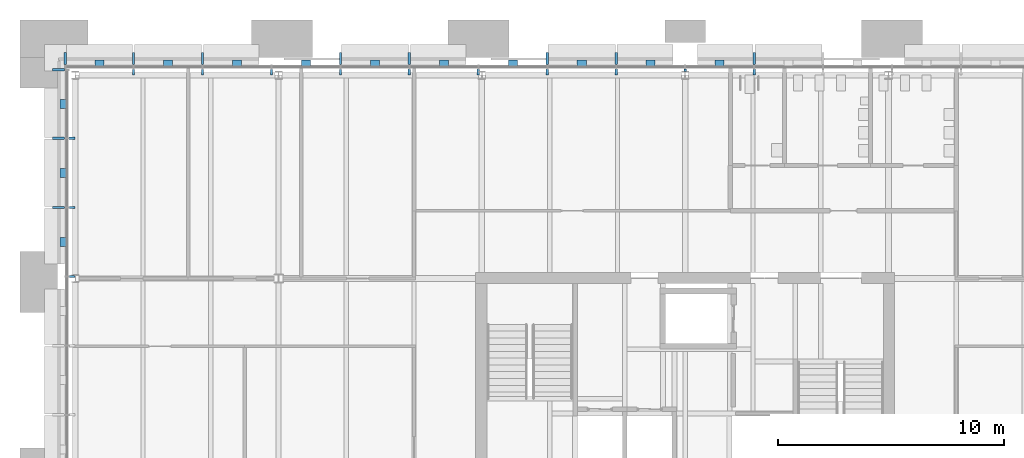
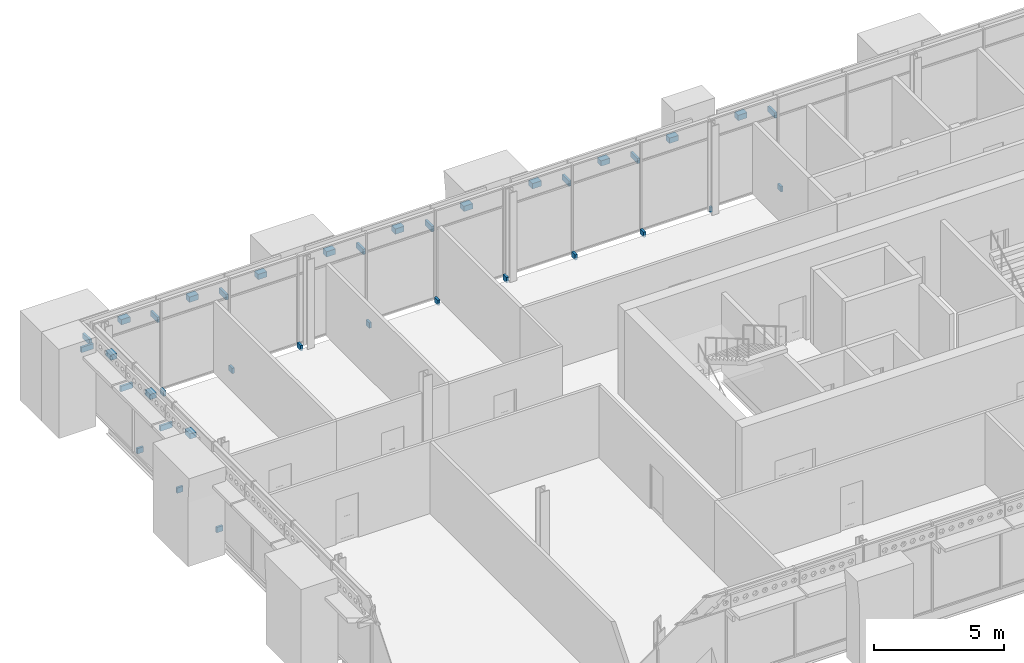
# One storey, part 28 of 37: 37 discrete accessories.
"""IFC4 building model written with IfcOpenShell, lengths in metres."""

from ifc_helpers import new_model, si_unit, direction, frame, origin, origin_2d, place, context, subcontext, project, spatial, rectangle, extrude, material, type_object, element, save


model = new_model("IFC4")

# Units and contexts
model_context = context("Model", 3, precision=1e-05, world=origin(), true_north=direction((0.0, 1.0)))
body_context = subcontext(model_context, "Body", "Model", "MODEL_VIEW")
ifc_project = project(units=[si_unit("LENGTHUNIT", "METRE"), si_unit("AREAUNIT", "SQUARE_METRE"), si_unit("VOLUMEUNIT", "CUBIC_METRE"), si_unit("PLANEANGLEUNIT", "RADIAN"), si_unit("MASSUNIT", "GRAM", prefix="KILO")], contexts=[model_context])

# Site, building, storey
site_placement = place(None, origin())
site = spatial("IfcSite", under=ifc_project, at=site_placement, CompositionType="ELEMENT")
building_placement = place(site_placement, origin())
building = spatial("IfcBuilding", under=site, at=building_placement, Name="Baradari Gate Terminus", CompositionType="ELEMENT")
storey_placement = place(building_placement, frame((0.0, 0.0, 24.300048828125)))
storey = spatial("IfcBuildingStorey", under=building, at=storey_placement, Name="L05", CompositionType="ELEMENT", Elevation=24.300048828125)

# Discrete accessories
ifc_material_1 = material(Name="Steel S275", Category="steel")
discrete_accessory_type_1 = type_object("IfcDiscreteAccessoryType", Name="Chhajja bracket BK-3 galvanised steel", PredefinedType="BRACKET", material=ifc_material_1)
for number, where, z_axis, x_axis, name in (
    (1, (8.5625, 144.739990234375, 3.08251953125), (0.0, 0.0, 1.0), (0.0, 1.0, 0.0), "Chhajja bracket BK-3 L05/TN mullion 1"),
    (2, (11.582275390625, 144.739990234375, 3.08251953125), (0.0, 0.0, 1.0), (0.0, 1.0, 0.0), "Chhajja bracket BK-3 L05/TN mullion 2"),
    (3, (14.634521484375, 144.739990234375, 3.08251953125), (0.0, 0.0, 1.0), (0.0, 1.0, 0.0), "Chhajja bracket BK-3 L05/TN mullion 3"),
    (4, (20.73876953125, 144.739990234375, 3.08251953125), (0.0, 0.0, 1.0), (0.0, 1.0, 0.0), "Chhajja bracket BK-3 L05/TN mullion 5"),
    (5, (23.791015625, 144.739990234375, 3.08251953125), (0.0, 0.0, 1.0), (0.0, 1.0, 0.0), "Chhajja bracket BK-3 L05/TN mullion 6"),
    (6, (29.8955078125, 144.739990234375, 3.08251953125), (0.0, 0.0, 1.0), (0.0, 1.0, 0.0), "Chhajja bracket BK-3 L05/TN mullion 8"),
    (7, (32.94775390625, 144.739990234375, 3.08251953125), (0.0, 0.0, 1.0), (0.0, 1.0, 0.0), "Chhajja bracket BK-3 L05/TN mullion 9"),
    (8, (39.05224609375, 144.739990234375, 3.08251953125), (0.0, 0.0, 1.0), (0.0, 1.0, 0.0), "Chhajja bracket BK-3 L05/TN mullion 11"),
    (9, (8.260009765625, 138.14990234375, 3.08251953125), (0.0, 0.0, 1.0), (-1.0, 0.0, 0.0), "Chhajja bracket BK-3 L05/TW mullion 8"),
    (10, (8.260009765625, 141.2099609375, 3.08251953125), (0.0, 0.0, 1.0), (-1.0, 0.0, 0.0), "Chhajja bracket BK-3 L05/TW mullion 9"),
    (11, (8.260009765625, 144.237548828125, 3.08251953125), (0.0, 0.0, 1.0), (-1.0, 0.0, 0.0), "Chhajja bracket BK-3 L05/TW mullion 10"),
):
    element("IfcDiscreteAccessory", number, at=place(storey_placement, frame(where, z_axis=z_axis, x_axis=x_axis)), inside=storey, type_object=discrete_accessory_type_1, Name=name, PredefinedType="BRACKET", context=body_context, shape_type="SweptSolid", body=[
        extrude(rectangle(XDim=0.5400390625, YDim=0.10009765625, at=origin_2d()), origin(), (0.0, 0.0, 1.0), 0.25),
    ])
ifc_material_2 = material(Name="Aluminium 6063-T6", Category="aluminium")
discrete_accessory_type_2 = type_object("IfcDiscreteAccessoryType", Name="Curtain wall bracket BK-1 100x250", PredefinedType="BRACKET", material=ifc_material_2)
for number, where, z_axis, x_axis, name in (
    (12, (11.582275390625, 144.135009765625, -0.10009765625), (0.0, 0.0, 1.0), (0.0, 1.0, 0.0), "Curtain wall bracket BK-1 L05/TN mullion 2"),
    (13, (14.634521484375, 144.135009765625, -0.10009765625), (0.0, 0.0, 1.0), (0.0, 1.0, 0.0), "Curtain wall bracket BK-1 L05/TN mullion 3"),
    (14, (17.686767578125, 144.135009765625, -0.10009765625), (0.0, 0.0, 1.0), (0.0, 1.0, 0.0), "Curtain wall bracket BK-1 L05/TN mullion 4"),
    (15, (20.73876953125, 144.135009765625, -0.10009765625), (0.0, 0.0, 1.0), (0.0, 1.0, 0.0), "Curtain wall bracket BK-1 L05/TN mullion 5"),
    (16, (23.791015625, 144.135009765625, -0.10009765625), (0.0, 0.0, 1.0), (0.0, 1.0, 0.0), "Curtain wall bracket BK-1 L05/TN mullion 6"),
    (17, (26.84326171875, 144.135009765625, -0.10009765625), (0.0, 0.0, 1.0), (0.0, 1.0, 0.0), "Curtain wall bracket BK-1 L05/TN mullion 7"),
    (18, (29.8955078125, 144.135009765625, -0.10009765625), (0.0, 0.0, 1.0), (0.0, 1.0, 0.0), "Curtain wall bracket BK-1 L05/TN mullion 8"),
    (19, (32.94775390625, 144.135009765625, -0.10009765625), (0.0, 0.0, 1.0), (0.0, 1.0, 0.0), "Curtain wall bracket BK-1 L05/TN mullion 9"),
):
    element("IfcDiscreteAccessory", number, at=place(storey_placement, frame(where, z_axis=z_axis, x_axis=x_axis)), inside=storey, type_object=discrete_accessory_type_2, Name=name, PredefinedType="BRACKET", context=body_context, shape_type="SweptSolid", body=[
        extrude(rectangle(XDim=0.27001953125, YDim=0.10009765625, at=origin_2d()), origin(), (0.0, 0.0, 1.0), 0.25),
    ])
discrete_accessory_placement = place(storey_placement, frame((36.0, 144.219970703125, -0.10009765625), z_axis=(0.0, 0.0, 1.0), x_axis=(0.0, 1.0, 0.0)))
element("IfcDiscreteAccessory", 20, at=discrete_accessory_placement, inside=storey, type_object=discrete_accessory_type_2, Name="Curtain wall bracket BK-1 L05/TN mullion 10", PredefinedType="BRACKET", context=body_context, shape_type="SweptSolid", body=[
    extrude(rectangle(XDim=0.10009765625, YDim=0.10009765625, at=origin_2d()), origin(), (0.0, 0.0, 1.0), 0.25),
])
for number, where, z_axis, x_axis, name in (
    (21, (39.05224609375, 144.135009765625, -0.10009765625), (0.0, 0.0, 1.0), (0.0, 1.0, 0.0), "Curtain wall bracket BK-1 L05/TN mullion 11"),
    (22, (8.864990234375, 135.090087890625, -0.10009765625), (0.0, 0.0, 1.0), (-1.0, 0.0, 0.0), "Curtain wall bracket BK-1 L05/TW mullion 7"),
    (23, (8.864990234375, 138.14990234375, -0.10009765625), (0.0, 0.0, 1.0), (-1.0, 0.0, 0.0), "Curtain wall bracket BK-1 L05/TW mullion 8"),
    (24, (8.864990234375, 141.2099609375, -0.10009765625), (0.0, 0.0, 1.0), (-1.0, 0.0, 0.0), "Curtain wall bracket BK-1 L05/TW mullion 9"),
):
    element("IfcDiscreteAccessory", number, at=place(storey_placement, frame(where, z_axis=z_axis, x_axis=x_axis)), inside=storey, type_object=discrete_accessory_type_2, Name=name, PredefinedType="BRACKET", context=body_context, shape_type="SweptSolid", body=[
        extrude(rectangle(XDim=0.27001953125, YDim=0.10009765625, at=origin_2d()), origin(), (0.0, 0.0, 1.0), 0.25),
    ])
ifc_material_3 = material(Name="Stainless steel 316", Category="steel")
discrete_accessory_type_3 = type_object("IfcDiscreteAccessoryType", Name="Jali screen bracket BK-2 stainless steel", PredefinedType="BRACKET", material=ifc_material_3)
for number, where, z_axis, x_axis, name in (
    (25, (10.072265625, 144.527587890625, 3.608642578125), (0.0, 0.0, 1.0), (0.0, 1.0, 0.0), "Jali screen bracket BK-2 L05/TN bay 1"),
    (26, (13.1083984375, 144.527587890625, 3.608642578125), (0.0, 0.0, 1.0), (0.0, 1.0, 0.0), "Jali screen bracket BK-2 L05/TN bay 2"),
    (27, (16.16064453125, 144.527587890625, 3.608642578125), (0.0, 0.0, 1.0), (0.0, 1.0, 0.0), "Jali screen bracket BK-2 L05/TN bay 3"),
    (28, (19.212890625, 144.527587890625, 3.608642578125), (0.0, 0.0, 1.0), (0.0, 1.0, 0.0), "Jali screen bracket BK-2 L05/TN bay 4"),
    (29, (22.264892578125, 144.527587890625, 3.608642578125), (0.0, 0.0, 1.0), (0.0, 1.0, 0.0), "Jali screen bracket BK-2 L05/TN bay 5"),
    (30, (25.317138671875, 144.527587890625, 3.608642578125), (0.0, 0.0, 1.0), (0.0, 1.0, 0.0), "Jali screen bracket BK-2 L05/TN bay 6"),
    (31, (28.369384765625, 144.527587890625, 3.608642578125), (0.0, 0.0, 1.0), (0.0, 1.0, 0.0), "Jali screen bracket BK-2 L05/TN bay 7"),
    (32, (31.421630859375, 144.527587890625, 3.608642578125), (0.0, 0.0, 1.0), (0.0, 1.0, 0.0), "Jali screen bracket BK-2 L05/TN bay 8"),
    (33, (34.473876953125, 144.527587890625, 3.608642578125), (0.0, 0.0, 1.0), (0.0, 1.0, 0.0), "Jali screen bracket BK-2 L05/TN bay 9"),
    (34, (37.526123046875, 144.527587890625, 3.608642578125), (0.0, 0.0, 1.0), (0.0, 1.0, 0.0), "Jali screen bracket BK-2 L05/TN bay 10"),
    (35, (8.472412109375, 136.6201171875, 3.608642578125), (0.0, 0.0, 1.0), (-1.0, 0.0, 0.0), "Jali screen bracket BK-2 L05/TW bay 7"),
    (36, (8.472412109375, 139.679931640625, 3.608642578125), (0.0, 0.0, 1.0), (-1.0, 0.0, 0.0), "Jali screen bracket BK-2 L05/TW bay 8"),
    (37, (8.472412109375, 142.7236328125, 3.608642578125), (0.0, 0.0, 1.0), (-1.0, 0.0, 0.0), "Jali screen bracket BK-2 L05/TW bay 9"),
):
    element("IfcDiscreteAccessory", number, at=place(storey_placement, frame(where, z_axis=z_axis, x_axis=x_axis)), inside=storey, type_object=discrete_accessory_type_3, Name=name, PredefinedType="BRACKET", context=body_context, shape_type="SweptSolid", body=[
        extrude(rectangle(XDim=0.284912109375, YDim=0.39990234375, at=origin_2d()), origin(), (0.0, 0.0, 1.0), 0.25),
    ])

save(model, "model.ifc")
